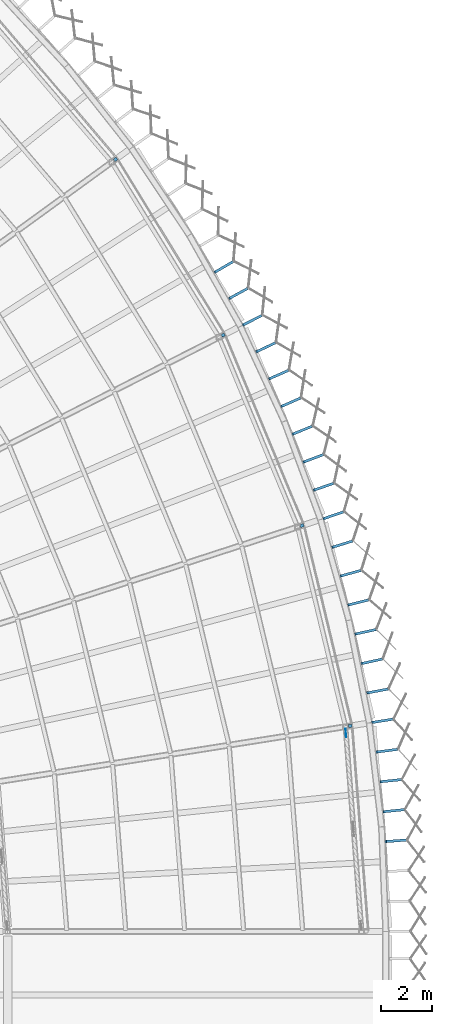
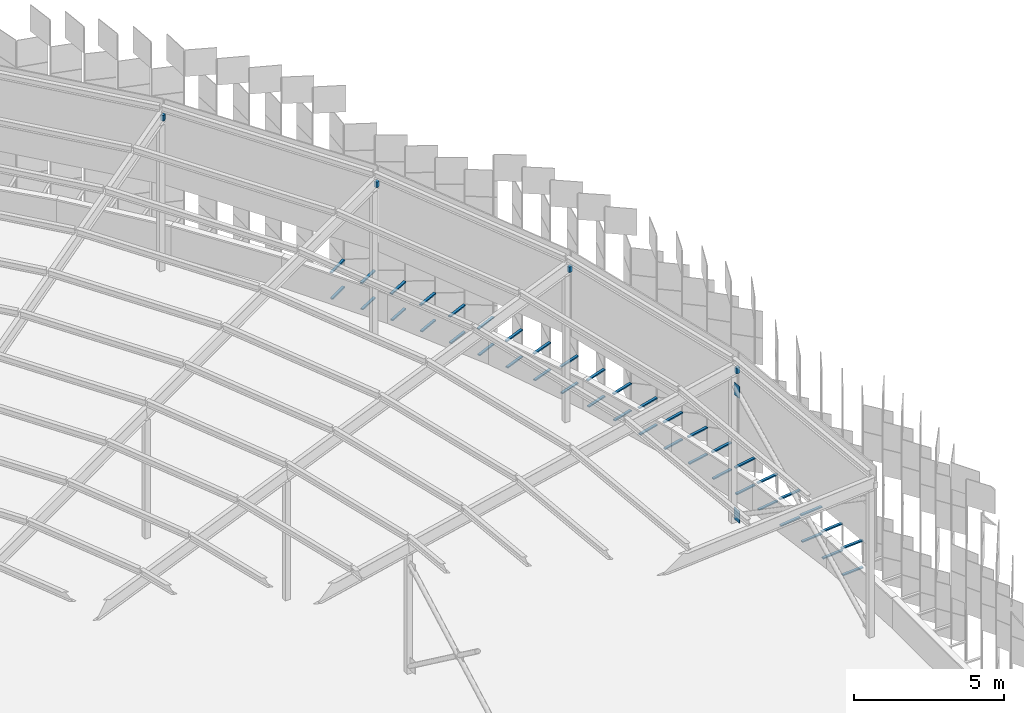
# One storey, part 450 of 483: 48 discrete accessories.
"""IFC4 building model written with IfcOpenShell, lengths in metres."""

from ifc_helpers import new_model, si_unit, direction, frame, origin, origin_2d, place, context, subcontext, project, spatial, polyline, rectangle, outline, extrude, material, layer, layer_set, type_object, element, save


model = new_model("IFC4")

# Units and contexts
model_context = context("Model", 3, precision=1e-05, world=origin(), true_north=direction((0.0, 1.0)))
body_context = subcontext(model_context, "Body", "Model", "MODEL_VIEW")
ifc_project = project(units=[si_unit("LENGTHUNIT", "METRE"), si_unit("AREAUNIT", "SQUARE_METRE"), si_unit("VOLUMEUNIT", "CUBIC_METRE"), si_unit("PLANEANGLEUNIT", "RADIAN"), si_unit("MASSUNIT", "GRAM", prefix="KILO")], contexts=[model_context])

# Site, building, storey
site_placement = place(None, origin())
site = spatial("IfcSite", under=ifc_project, at=site_placement, CompositionType="ELEMENT")
building_placement = place(site_placement, origin())
building = spatial("IfcBuilding", under=site, at=building_placement, Name="Parallax Yard Mobility Hub", CompositionType="ELEMENT")
storey_placement = place(building_placement, frame((0.0, 0.0, 13.199951171875)))
storey = spatial("IfcBuildingStorey", under=building, at=storey_placement, Name="L04", CompositionType="ELEMENT", Elevation=13.199951171875)

# Discrete accessories
ifc_material_1 = material(Name="Steel ASTM A36", Category="steel")
ifc_layer = layer(ifc_material_1, 0.011962890625)
ifc_layer_set = layer_set([ifc_layer], Name="Gusset plate PL12")
discrete_accessory_type_1 = type_object("IfcDiscreteAccessoryType", Name="Gusset plate PL12", PredefinedType="BRACKET", material=ifc_layer_set)
discrete_accessory_1_placement = place(storey_placement, frame((0.0, 0.0, 0.150146484375)))
element("IfcDiscreteAccessory", 1, at=discrete_accessory_1_placement, inside=storey, type_object=discrete_accessory_type_1, Name="Gusset plate PL12 RC bay R9-R10 foot on post R9", PredefinedType="BRACKET", context=body_context, shape_type="SweptSolid", body=[
    extrude(outline(polyline([(223.268310546875, 97.951171875), (223.293212890625, 97.632080078125), (223.305419921875, 97.63330078125), (223.2802734375, 97.9521484375), (223.268310546875, 97.951171875)])), origin(), (0.0, 0.0, 1.0), 0.500244140625),
])
discrete_accessory_2_placement = place(storey_placement, frame((0.0, 0.0, 5.211669921875)))
element("IfcDiscreteAccessory", 2, at=discrete_accessory_2_placement, inside=storey, type_object=discrete_accessory_type_1, Name="Gusset plate PL12 RC bay R9-R10 head on post R9", PredefinedType="BRACKET", context=body_context, shape_type="SweptSolid", body=[
    extrude(outline(polyline([(223.268310546875, 97.951171875), (223.293212890625, 97.632080078125), (223.305419921875, 97.63330078125), (223.2802734375, 97.9521484375), (223.268310546875, 97.951171875)])), origin(), (0.0, 0.0, 1.0), 0.50048828125),
])
ifc_material_2 = material(Name="Steel ASTM A36, hot-dip galvanised", Category="steel")
discrete_accessory_type_2 = type_object("IfcDiscreteAccessoryType", Name="Hinge bracket plate 100x50", PredefinedType="BRACKET", material=ifc_material_2)
discrete_accessory_3_placement = place(storey_placement, frame((225.278564453125, 93.560302734375, -0.02490234375), z_axis=(0.0, 0.0, 1.0), x_axis=(0.997452125929, 0.071339024937, 0.0)))
element("IfcDiscreteAccessory", 3, at=discrete_accessory_3_placement, inside=storey, type_object=discrete_accessory_type_2, Name="Hinge bracket plate bay 41.4 level L04", PredefinedType="BRACKET", context=body_context, shape_type="SweptSolid", body=[
    extrude(rectangle(XDim=0.80810546875, YDim=0.10009765625, at=origin_2d()), origin(), (0.0, 0.0, 1.0), 0.050048828125),
])
discrete_accessory_4_placement = place(storey_placement, frame((225.255615234375, 93.55859375, 1.06982421875), z_axis=(0.0, 0.0, 1.0), x_axis=(0.997452125929, 0.071339024937, 0.0)))
element("IfcDiscreteAccessory", 4, at=discrete_accessory_4_placement, inside=storey, type_object=discrete_accessory_type_2, Name="Hinge bracket plate bay 41.4 level L04", PredefinedType="BRACKET", context=body_context, shape_type="SweptSolid", body=[
    extrude(rectangle(XDim=0.85400390625, YDim=0.10009765625, at=origin_2d()), origin(), (0.0, 0.0, 1.0), 0.050048828125),
])
discrete_accessory_5_placement = place(storey_placement, frame((225.187744140625, 94.743896484375, -0.02490234375), z_axis=(0.0, 0.0, 1.0), x_axis=(0.995008133644, 0.099793857441, 0.0)))
element("IfcDiscreteAccessory", 5, at=discrete_accessory_5_placement, inside=storey, type_object=discrete_accessory_type_2, Name="Hinge bracket plate bay 41.5 level L04", PredefinedType="BRACKET", context=body_context, shape_type="SweptSolid", body=[
    extrude(rectangle(XDim=0.80810546875, YDim=0.10009765625, at=origin_2d()), origin(), (0.0, 0.0, 1.0), 0.050048828125),
])
discrete_accessory_6_placement = place(storey_placement, frame((225.164794921875, 94.74169921875, 1.06982421875), z_axis=(0.0, 0.0, 1.0), x_axis=(0.995008133644, 0.099793857441, 0.0)))
element("IfcDiscreteAccessory", 6, at=discrete_accessory_6_placement, inside=storey, type_object=discrete_accessory_type_2, Name="Hinge bracket plate bay 41.5 level L04", PredefinedType="BRACKET", context=body_context, shape_type="SweptSolid", body=[
    extrude(rectangle(XDim=0.85400390625, YDim=0.10009765625, at=origin_2d()), origin(), (0.0, 0.0, 1.0), 0.050048828125),
])
discrete_accessory_7_placement = place(storey_placement, frame((225.069580078125, 95.922607421875, -0.02490234375), z_axis=(0.0, 0.0, 1.0), x_axis=(0.995008133644, 0.099793857441, 0.0)))
element("IfcDiscreteAccessory", 7, at=discrete_accessory_7_placement, inside=storey, type_object=discrete_accessory_type_2, Name="Hinge bracket plate bay 41.6 level L04", PredefinedType="BRACKET", context=body_context, shape_type="SweptSolid", body=[
    extrude(rectangle(XDim=0.80810546875, YDim=0.10009765625, at=origin_2d()), origin(), (0.0, 0.0, 1.0), 0.050048828125),
])
discrete_accessory_8_placement = place(storey_placement, frame((225.046630859375, 95.920166015625, 1.06982421875), z_axis=(0.0, 0.0, 1.0), x_axis=(0.995008133644, 0.099793857441, 0.0)))
element("IfcDiscreteAccessory", 8, at=discrete_accessory_8_placement, inside=storey, type_object=discrete_accessory_type_2, Name="Hinge bracket plate bay 41.6 level L04", PredefinedType="BRACKET", context=body_context, shape_type="SweptSolid", body=[
    extrude(rectangle(XDim=0.85400390625, YDim=0.10009765625, at=origin_2d()), origin(), (0.0, 0.0, 1.0), 0.050048828125),
])
discrete_accessory_9_placement = place(storey_placement, frame((224.92041015625, 97.100341796875, -0.02490234375), z_axis=(0.0, 0.0, 1.0), x_axis=(0.991752786078, 0.12816556209, 0.0)))
element("IfcDiscreteAccessory", 9, at=discrete_accessory_9_placement, inside=storey, type_object=discrete_accessory_type_2, Name="Hinge bracket plate bay 41.7 level L04", PredefinedType="BRACKET", context=body_context, shape_type="SweptSolid", body=[
    extrude(rectangle(XDim=0.80810546875, YDim=0.10009765625, at=origin_2d()), origin(), (0.0, 0.0, 1.0), 0.050048828125),
])
discrete_accessory_10_placement = place(storey_placement, frame((224.897705078125, 97.097412109375, 1.06982421875), z_axis=(0.0, 0.0, 1.0), x_axis=(0.991752786078, 0.12816556209, 0.0)))
element("IfcDiscreteAccessory", 10, at=discrete_accessory_10_placement, inside=storey, type_object=discrete_accessory_type_2, Name="Hinge bracket plate bay 41.7 level L04", PredefinedType="BRACKET", context=body_context, shape_type="SweptSolid", body=[
    extrude(rectangle(XDim=0.85400390625, YDim=0.10009765625, at=origin_2d()), origin(), (0.0, 0.0, 1.0), 0.050048828125),
])
discrete_accessory_11_placement = place(storey_placement, frame((224.746826171875, 98.27490234375, -0.02490234375), z_axis=(0.0, 0.0, 1.0), x_axis=(0.987688340595, 0.15643446504, 0.0)))
element("IfcDiscreteAccessory", 11, at=discrete_accessory_11_placement, inside=storey, type_object=discrete_accessory_type_2, Name="Hinge bracket plate bay 42.1 level L04", PredefinedType="BRACKET", context=body_context, shape_type="SweptSolid", body=[
    extrude(rectangle(XDim=0.80810546875, YDim=0.10009765625, at=origin_2d()), origin(), (0.0, 0.0, 1.0), 0.050048828125),
])
discrete_accessory_12_placement = place(storey_placement, frame((224.72412109375, 98.271484375, 1.06982421875), z_axis=(0.0, 0.0, 1.0), x_axis=(0.987688340595, 0.15643446504, 0.0)))
element("IfcDiscreteAccessory", 12, at=discrete_accessory_12_placement, inside=storey, type_object=discrete_accessory_type_2, Name="Hinge bracket plate bay 42.1 level L04", PredefinedType="BRACKET", context=body_context, shape_type="SweptSolid", body=[
    extrude(rectangle(XDim=0.85400390625, YDim=0.10009765625, at=origin_2d()), origin(), (0.0, 0.0, 1.0), 0.050048828125),
])
discrete_accessory_13_placement = place(storey_placement, frame((224.548828125, 99.446044921875, -0.02490234375), z_axis=(0.0, 0.0, 1.0), x_axis=(0.982818286533, 0.184575772126, 0.0)))
element("IfcDiscreteAccessory", 13, at=discrete_accessory_13_placement, inside=storey, type_object=discrete_accessory_type_2, Name="Hinge bracket plate bay 42.2 level L04", PredefinedType="BRACKET", context=body_context, shape_type="SweptSolid", body=[
    extrude(rectangle(XDim=0.80810546875, YDim=0.10009765625, at=origin_2d()), origin(), (0.0, 0.0, 1.0), 0.050048828125),
])
discrete_accessory_14_placement = place(storey_placement, frame((224.5263671875, 99.44189453125, 1.06982421875), z_axis=(0.0, 0.0, 1.0), x_axis=(0.982818286533, 0.184575772126, 0.0)))
element("IfcDiscreteAccessory", 14, at=discrete_accessory_14_placement, inside=storey, type_object=discrete_accessory_type_2, Name="Hinge bracket plate bay 42.2 level L04", PredefinedType="BRACKET", context=body_context, shape_type="SweptSolid", body=[
    extrude(rectangle(XDim=0.85400390625, YDim=0.10009765625, at=origin_2d()), origin(), (0.0, 0.0, 1.0), 0.050048828125),
])
discrete_accessory_15_placement = place(storey_placement, frame((224.32666015625, 100.61279296875, -0.02490234375), z_axis=(0.0, 0.0, 1.0), x_axis=(0.977146967152, 0.212564824432, 0.0)))
element("IfcDiscreteAccessory", 15, at=discrete_accessory_15_placement, inside=storey, type_object=discrete_accessory_type_2, Name="Hinge bracket plate bay 42.3 level L04", PredefinedType="BRACKET", context=body_context, shape_type="SweptSolid", body=[
    extrude(rectangle(XDim=0.80810546875, YDim=0.10009765625, at=origin_2d()), origin(), (0.0, 0.0, 1.0), 0.050048828125),
])
discrete_accessory_16_placement = place(storey_placement, frame((224.30419921875, 100.60791015625, 1.06982421875), z_axis=(0.0, 0.0, 1.0), x_axis=(0.977146967152, 0.212564824432, 0.0)))
element("IfcDiscreteAccessory", 16, at=discrete_accessory_16_placement, inside=storey, type_object=discrete_accessory_type_2, Name="Hinge bracket plate bay 42.3 level L04", PredefinedType="BRACKET", context=body_context, shape_type="SweptSolid", body=[
    extrude(rectangle(XDim=0.85400390625, YDim=0.10009765625, at=origin_2d()), origin(), (0.0, 0.0, 1.0), 0.050048828125),
])
discrete_accessory_17_placement = place(storey_placement, frame((224.07470703125, 101.770751953125, -0.02490234375), z_axis=(0.0, 0.0, 1.0), x_axis=(0.977146967152, 0.212564824432, 0.0)))
element("IfcDiscreteAccessory", 17, at=discrete_accessory_17_placement, inside=storey, type_object=discrete_accessory_type_2, Name="Hinge bracket plate bay 42.4 level L04", PredefinedType="BRACKET", context=body_context, shape_type="SweptSolid", body=[
    extrude(rectangle(XDim=0.80810546875, YDim=0.10009765625, at=origin_2d()), origin(), (0.0, 0.0, 1.0), 0.050048828125),
])
discrete_accessory_18_placement = place(storey_placement, frame((224.05224609375, 101.765869140625, 1.06982421875), z_axis=(0.0, 0.0, 1.0), x_axis=(0.977146967152, 0.212564824432, 0.0)))
element("IfcDiscreteAccessory", 18, at=discrete_accessory_18_placement, inside=storey, type_object=discrete_accessory_type_2, Name="Hinge bracket plate bay 42.4 level L04", PredefinedType="BRACKET", context=body_context, shape_type="SweptSolid", body=[
    extrude(rectangle(XDim=0.85400390625, YDim=0.10009765625, at=origin_2d()), origin(), (0.0, 0.0, 1.0), 0.050048828125),
])
discrete_accessory_19_placement = place(storey_placement, frame((223.795166015625, 102.925048828125, -0.02490234375), z_axis=(0.0, 0.0, 1.0), x_axis=(0.970678315125, 0.240382213455, 0.0)))
element("IfcDiscreteAccessory", 19, at=discrete_accessory_19_placement, inside=storey, type_object=discrete_accessory_type_2, Name="Hinge bracket plate bay 42.5 level L04", PredefinedType="BRACKET", context=body_context, shape_type="SweptSolid", body=[
    extrude(rectangle(XDim=0.80810546875, YDim=0.10009765625, at=origin_2d()), origin(), (0.0, 0.0, 1.0), 0.050048828125),
])
discrete_accessory_20_placement = place(storey_placement, frame((223.77294921875, 102.91943359375, 1.06982421875), z_axis=(0.0, 0.0, 1.0), x_axis=(0.970678315125, 0.240382213455, 0.0)))
element("IfcDiscreteAccessory", 20, at=discrete_accessory_20_placement, inside=storey, type_object=discrete_accessory_type_2, Name="Hinge bracket plate bay 42.5 level L04", PredefinedType="BRACKET", context=body_context, shape_type="SweptSolid", body=[
    extrude(rectangle(XDim=0.85400390625, YDim=0.10009765625, at=origin_2d()), origin(), (0.0, 0.0, 1.0), 0.050048828125),
])
discrete_accessory_21_placement = place(storey_placement, frame((223.49169921875, 104.073486328125, -0.02490234375), z_axis=(0.0, 0.0, 1.0), x_axis=(0.963417928757, 0.268003534583, 0.0)))
element("IfcDiscreteAccessory", 21, at=discrete_accessory_21_placement, inside=storey, type_object=discrete_accessory_type_2, Name="Hinge bracket plate bay 42.6 level L04", PredefinedType="BRACKET", context=body_context, shape_type="SweptSolid", body=[
    extrude(rectangle(XDim=0.80810546875, YDim=0.10009765625, at=origin_2d()), origin(), (0.0, 0.0, 1.0), 0.050048828125),
])
discrete_accessory_22_placement = place(storey_placement, frame((223.469482421875, 104.067138671875, 1.06982421875), z_axis=(0.0, 0.0, 1.0), x_axis=(0.963417928757, 0.268003534583, 0.0)))
element("IfcDiscreteAccessory", 22, at=discrete_accessory_22_placement, inside=storey, type_object=discrete_accessory_type_2, Name="Hinge bracket plate bay 42.6 level L04", PredefinedType="BRACKET", context=body_context, shape_type="SweptSolid", body=[
    extrude(rectangle(XDim=0.85400390625, YDim=0.10009765625, at=origin_2d()), origin(), (0.0, 0.0, 1.0), 0.050048828125),
])
discrete_accessory_23_placement = place(storey_placement, frame((223.16455078125, 105.215087890625, -0.02490234375), z_axis=(0.0, 0.0, 1.0), x_axis=(0.955372245566, 0.295404591031, 0.0)))
element("IfcDiscreteAccessory", 23, at=discrete_accessory_23_placement, inside=storey, type_object=discrete_accessory_type_2, Name="Hinge bracket plate bay 42.7 level L04", PredefinedType="BRACKET", context=body_context, shape_type="SweptSolid", body=[
    extrude(rectangle(XDim=0.80810546875, YDim=0.10009765625, at=origin_2d()), origin(), (0.0, 0.0, 1.0), 0.050048828125),
])
discrete_accessory_24_placement = place(storey_placement, frame((223.142578125, 105.208251953125, 1.06982421875), z_axis=(0.0, 0.0, 1.0), x_axis=(0.955372245566, 0.295404591031, 0.0)))
element("IfcDiscreteAccessory", 24, at=discrete_accessory_24_placement, inside=storey, type_object=discrete_accessory_type_2, Name="Hinge bracket plate bay 42.7 level L04", PredefinedType="BRACKET", context=body_context, shape_type="SweptSolid", body=[
    extrude(rectangle(XDim=0.85400390625, YDim=0.10009765625, at=origin_2d()), origin(), (0.0, 0.0, 1.0), 0.050048828125),
])
discrete_accessory_25_placement = place(storey_placement, frame((222.813720703125, 106.349853515625, -0.02490234375), z_axis=(0.0, 0.0, 1.0), x_axis=(0.946546844685, 0.322566382032, 0.0)))
element("IfcDiscreteAccessory", 25, at=discrete_accessory_25_placement, inside=storey, type_object=discrete_accessory_type_2, Name="Hinge bracket plate bay 43.1 level L04", PredefinedType="BRACKET", context=body_context, shape_type="SweptSolid", body=[
    extrude(rectangle(XDim=0.80810546875, YDim=0.10009765625, at=origin_2d()), origin(), (0.0, 0.0, 1.0), 0.050048828125),
])
discrete_accessory_26_placement = place(storey_placement, frame((222.791748046875, 106.342529296875, 1.06982421875), z_axis=(0.0, 0.0, 1.0), x_axis=(0.946546844685, 0.322566382032, 0.0)))
element("IfcDiscreteAccessory", 26, at=discrete_accessory_26_placement, inside=storey, type_object=discrete_accessory_type_2, Name="Hinge bracket plate bay 43.1 level L04", PredefinedType="BRACKET", context=body_context, shape_type="SweptSolid", body=[
    extrude(rectangle(XDim=0.85400390625, YDim=0.10009765625, at=origin_2d()), origin(), (0.0, 0.0, 1.0), 0.050048828125),
])
discrete_accessory_27_placement = place(storey_placement, frame((222.431396484375, 107.47119140625, -0.02490234375), z_axis=(0.0, 0.0, 1.0), x_axis=(0.946546844685, 0.322566382032, 0.0)))
element("IfcDiscreteAccessory", 27, at=discrete_accessory_27_placement, inside=storey, type_object=discrete_accessory_type_2, Name="Hinge bracket plate bay 43.2 level L04", PredefinedType="BRACKET", context=body_context, shape_type="SweptSolid", body=[
    extrude(rectangle(XDim=0.80810546875, YDim=0.10009765625, at=origin_2d()), origin(), (0.0, 0.0, 1.0), 0.050048828125),
])
discrete_accessory_28_placement = place(storey_placement, frame((222.40966796875, 107.4638671875, 1.06982421875), z_axis=(0.0, 0.0, 1.0), x_axis=(0.946546844685, 0.322566382032, 0.0)))
element("IfcDiscreteAccessory", 28, at=discrete_accessory_28_placement, inside=storey, type_object=discrete_accessory_type_2, Name="Hinge bracket plate bay 43.2 level L04", PredefinedType="BRACKET", context=body_context, shape_type="SweptSolid", body=[
    extrude(rectangle(XDim=0.85400390625, YDim=0.10009765625, at=origin_2d()), origin(), (0.0, 0.0, 1.0), 0.050048828125),
])
discrete_accessory_29_placement = place(storey_placement, frame((222.025146484375, 108.58740234375, -0.02490234375), z_axis=(0.0, 0.0, 1.0), x_axis=(0.93695000224, 0.349463436287, 0.0)))
element("IfcDiscreteAccessory", 29, at=discrete_accessory_29_placement, inside=storey, type_object=discrete_accessory_type_2, Name="Hinge bracket plate bay 43.3 level L04", PredefinedType="BRACKET", context=body_context, shape_type="SweptSolid", body=[
    extrude(rectangle(XDim=0.80810546875, YDim=0.10009765625, at=origin_2d()), origin(), (0.0, 0.0, 1.0), 0.050048828125),
])
discrete_accessory_30_placement = place(storey_placement, frame((222.003662109375, 108.5791015625, 1.06982421875), z_axis=(0.0, 0.0, 1.0), x_axis=(0.93695000224, 0.349463436287, 0.0)))
element("IfcDiscreteAccessory", 30, at=discrete_accessory_30_placement, inside=storey, type_object=discrete_accessory_type_2, Name="Hinge bracket plate bay 43.3 level L04", PredefinedType="BRACKET", context=body_context, shape_type="SweptSolid", body=[
    extrude(rectangle(XDim=0.85400390625, YDim=0.10009765625, at=origin_2d()), origin(), (0.0, 0.0, 1.0), 0.050048828125),
])
discrete_accessory_31_placement = place(storey_placement, frame((221.595703125, 109.694580078125, -0.02490234375), z_axis=(0.0, 0.0, 1.0), x_axis=(0.92658837299, 0.37607710252, 0.0)))
element("IfcDiscreteAccessory", 31, at=discrete_accessory_31_placement, inside=storey, type_object=discrete_accessory_type_2, Name="Hinge bracket plate bay 43.4 level L04", PredefinedType="BRACKET", context=body_context, shape_type="SweptSolid", body=[
    extrude(rectangle(XDim=0.80810546875, YDim=0.10009765625, at=origin_2d()), origin(), (0.0, 0.0, 1.0), 0.050048828125),
])
discrete_accessory_32_placement = place(storey_placement, frame((221.574462890625, 109.685791015625, 1.06982421875), z_axis=(0.0, 0.0, 1.0), x_axis=(0.92658837299, 0.37607710252, 0.0)))
element("IfcDiscreteAccessory", 32, at=discrete_accessory_32_placement, inside=storey, type_object=discrete_accessory_type_2, Name="Hinge bracket plate bay 43.4 level L04", PredefinedType="BRACKET", context=body_context, shape_type="SweptSolid", body=[
    extrude(rectangle(XDim=0.85400390625, YDim=0.10009765625, at=origin_2d()), origin(), (0.0, 0.0, 1.0), 0.050048828125),
])
discrete_accessory_33_placement = place(storey_placement, frame((221.143310546875, 110.79248046875, -0.02490234375), z_axis=(0.0, 0.0, 1.0), x_axis=(0.915470971385, 0.402384021242, 0.0)))
element("IfcDiscreteAccessory", 33, at=discrete_accessory_33_placement, inside=storey, type_object=discrete_accessory_type_2, Name="Hinge bracket plate bay 43.5 level L04", PredefinedType="BRACKET", context=body_context, shape_type="SweptSolid", body=[
    extrude(rectangle(XDim=0.80810546875, YDim=0.10009765625, at=origin_2d()), origin(), (0.0, 0.0, 1.0), 0.050048828125),
])
discrete_accessory_34_placement = place(storey_placement, frame((221.122314453125, 110.783203125, 1.06982421875), z_axis=(0.0, 0.0, 1.0), x_axis=(0.915470971385, 0.402384021242, 0.0)))
element("IfcDiscreteAccessory", 34, at=discrete_accessory_34_placement, inside=storey, type_object=discrete_accessory_type_2, Name="Hinge bracket plate bay 43.5 level L04", PredefinedType="BRACKET", context=body_context, shape_type="SweptSolid", body=[
    extrude(rectangle(XDim=0.85400390625, YDim=0.10009765625, at=origin_2d()), origin(), (0.0, 0.0, 1.0), 0.050048828125),
])
discrete_accessory_35_placement = place(storey_placement, frame((220.66650390625, 111.877197265625, -0.02490234375), z_axis=(0.0, 0.0, 1.0), x_axis=(0.915470971385, 0.402384021242, 0.0)))
element("IfcDiscreteAccessory", 35, at=discrete_accessory_35_placement, inside=storey, type_object=discrete_accessory_type_2, Name="Hinge bracket plate bay 43.6 level L04", PredefinedType="BRACKET", context=body_context, shape_type="SweptSolid", body=[
    extrude(rectangle(XDim=0.80810546875, YDim=0.10009765625, at=origin_2d()), origin(), (0.0, 0.0, 1.0), 0.050048828125),
])
discrete_accessory_36_placement = place(storey_placement, frame((220.6455078125, 111.867919921875, 1.06982421875), z_axis=(0.0, 0.0, 1.0), x_axis=(0.915470971385, 0.402384021242, 0.0)))
element("IfcDiscreteAccessory", 36, at=discrete_accessory_36_placement, inside=storey, type_object=discrete_accessory_type_2, Name="Hinge bracket plate bay 43.6 level L04", PredefinedType="BRACKET", context=body_context, shape_type="SweptSolid", body=[
    extrude(rectangle(XDim=0.85400390625, YDim=0.10009765625, at=origin_2d()), origin(), (0.0, 0.0, 1.0), 0.050048828125),
])
discrete_accessory_37_placement = place(storey_placement, frame((220.16064453125, 112.95166015625, -0.02490234375), z_axis=(0.0, 0.0, 1.0), x_axis=(0.903607612974, 0.428361158107, 0.0)))
element("IfcDiscreteAccessory", 37, at=discrete_accessory_37_placement, inside=storey, type_object=discrete_accessory_type_2, Name="Hinge bracket plate bay 43.7 level L04", PredefinedType="BRACKET", context=body_context, shape_type="SweptSolid", body=[
    extrude(rectangle(XDim=0.80810546875, YDim=0.10009765625, at=origin_2d()), origin(), (0.0, 0.0, 1.0), 0.050048828125),
])
discrete_accessory_38_placement = place(storey_placement, frame((220.139892578125, 112.94189453125, 1.06982421875), z_axis=(0.0, 0.0, 1.0), x_axis=(0.903607612974, 0.428361158107, 0.0)))
element("IfcDiscreteAccessory", 38, at=discrete_accessory_38_placement, inside=storey, type_object=discrete_accessory_type_2, Name="Hinge bracket plate bay 43.7 level L04", PredefinedType="BRACKET", context=body_context, shape_type="SweptSolid", body=[
    extrude(rectangle(XDim=0.85400390625, YDim=0.10009765625, at=origin_2d()), origin(), (0.0, 0.0, 1.0), 0.050048828125),
])
discrete_accessory_39_placement = place(storey_placement, frame((219.632568359375, 114.015380859375, -0.02490234375), z_axis=(0.0, 0.0, 1.0), x_axis=(0.891006524188, 0.45399049974, 0.0)))
element("IfcDiscreteAccessory", 39, at=discrete_accessory_39_placement, inside=storey, type_object=discrete_accessory_type_2, Name="Hinge bracket plate bay 44.1 level L04", PredefinedType="BRACKET", context=body_context, shape_type="SweptSolid", body=[
    extrude(rectangle(XDim=0.80810546875, YDim=0.10009765625, at=origin_2d()), origin(), (0.0, 0.0, 1.0), 0.050048828125),
])
discrete_accessory_40_placement = place(storey_placement, frame((219.612060546875, 114.0048828125, 1.06982421875), z_axis=(0.0, 0.0, 1.0), x_axis=(0.891006524188, 0.45399049974, 0.0)))
element("IfcDiscreteAccessory", 40, at=discrete_accessory_40_placement, inside=storey, type_object=discrete_accessory_type_2, Name="Hinge bracket plate bay 44.1 level L04", PredefinedType="BRACKET", context=body_context, shape_type="SweptSolid", body=[
    extrude(rectangle(XDim=0.85400390625, YDim=0.10009765625, at=origin_2d()), origin(), (0.0, 0.0, 1.0), 0.050048828125),
])
discrete_accessory_41_placement = place(storey_placement, frame((219.08251953125, 115.06787109375, -0.02490234375), z_axis=(0.0, 0.0, 1.0), x_axis=(0.877678685404, 0.479249543752, 0.0)))
element("IfcDiscreteAccessory", 41, at=discrete_accessory_41_placement, inside=storey, type_object=discrete_accessory_type_2, Name="Hinge bracket plate bay 44.2 level L04", PredefinedType="BRACKET", context=body_context, shape_type="SweptSolid", body=[
    extrude(rectangle(XDim=0.80810546875, YDim=0.10009765625, at=origin_2d()), origin(), (0.0, 0.0, 1.0), 0.050048828125),
])
discrete_accessory_42_placement = place(storey_placement, frame((219.062255859375, 115.056884765625, 1.06982421875), z_axis=(0.0, 0.0, 1.0), x_axis=(0.877678685404, 0.479249543752, 0.0)))
element("IfcDiscreteAccessory", 42, at=discrete_accessory_42_placement, inside=storey, type_object=discrete_accessory_type_2, Name="Hinge bracket plate bay 44.2 level L04", PredefinedType="BRACKET", context=body_context, shape_type="SweptSolid", body=[
    extrude(rectangle(XDim=0.85400390625, YDim=0.10009765625, at=origin_2d()), origin(), (0.0, 0.0, 1.0), 0.050048828125),
])
discrete_accessory_43_placement = place(storey_placement, frame((218.510498046875, 116.108642578125, -0.02490234375), z_axis=(0.0, 0.0, 1.0), x_axis=(0.863635847332, 0.504116180263, 0.0)))
element("IfcDiscreteAccessory", 43, at=discrete_accessory_43_placement, inside=storey, type_object=discrete_accessory_type_2, Name="Hinge bracket plate bay 44.3 level L04", PredefinedType="BRACKET", context=body_context, shape_type="SweptSolid", body=[
    extrude(rectangle(XDim=0.80810546875, YDim=0.10009765625, at=origin_2d()), origin(), (0.0, 0.0, 1.0), 0.050048828125),
])
discrete_accessory_44_placement = place(storey_placement, frame((218.49072265625, 116.09716796875, 1.06982421875), z_axis=(0.0, 0.0, 1.0), x_axis=(0.863635847332, 0.504116180263, 0.0)))
element("IfcDiscreteAccessory", 44, at=discrete_accessory_44_placement, inside=storey, type_object=discrete_accessory_type_2, Name="Hinge bracket plate bay 44.3 level L04", PredefinedType="BRACKET", context=body_context, shape_type="SweptSolid", body=[
    extrude(rectangle(XDim=0.85400390625, YDim=0.10009765625, at=origin_2d()), origin(), (0.0, 0.0, 1.0), 0.050048828125),
])
discrete_accessory_type_3 = type_object("IfcDiscreteAccessoryType", Name="Valance bracket plate", PredefinedType="BRACKET", material=ifc_material_2)
for number, where, z_axis, x_axis, name in (
    (45, (214.2373046875, 120.32373046875, 5.961181640625), (0.0, 0.0, 1.0), (0.809016994375, 0.587785252292, 0.0), "Valance bracket plate R6"),
    (46, (218.467041015625, 113.42138671875, 5.961181640625), (0.0, 0.0, 1.0), (0.891006524188, 0.45399049974, 0.0), "Valance bracket plate R7"),
    (47, (221.56494140625, 105.942138671875, 5.961181640625), (0.0, 0.0, 1.0), (0.951056516295, 0.309016994375, 0.0), "Valance bracket plate R8"),
    (48, (223.454833984375, 98.0703125, 5.961181640625), (0.0, 0.0, 1.0), (0.987688340595, 0.15643446504, 0.0), "Valance bracket plate R9"),
):
    element("IfcDiscreteAccessory", number, at=place(storey_placement, frame(where, z_axis=z_axis, x_axis=x_axis)), inside=storey, type_object=discrete_accessory_type_3, Name=name, PredefinedType="BRACKET", context=body_context, shape_type="SweptSolid", body=[
        extrude(rectangle(XDim=0.139892578125, YDim=0.1201171875, at=origin_2d()), origin(), (0.0, 0.0, 1.0), 0.22998046875),
    ])

save(model, "model.ifc")
